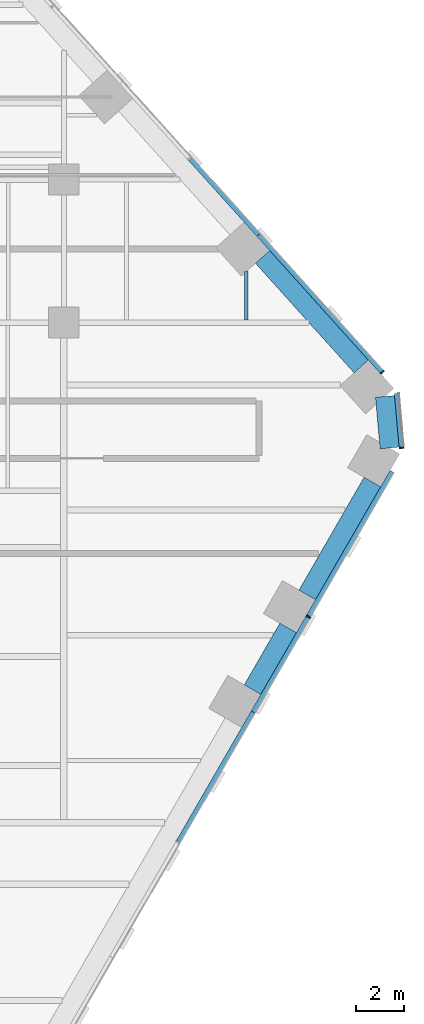
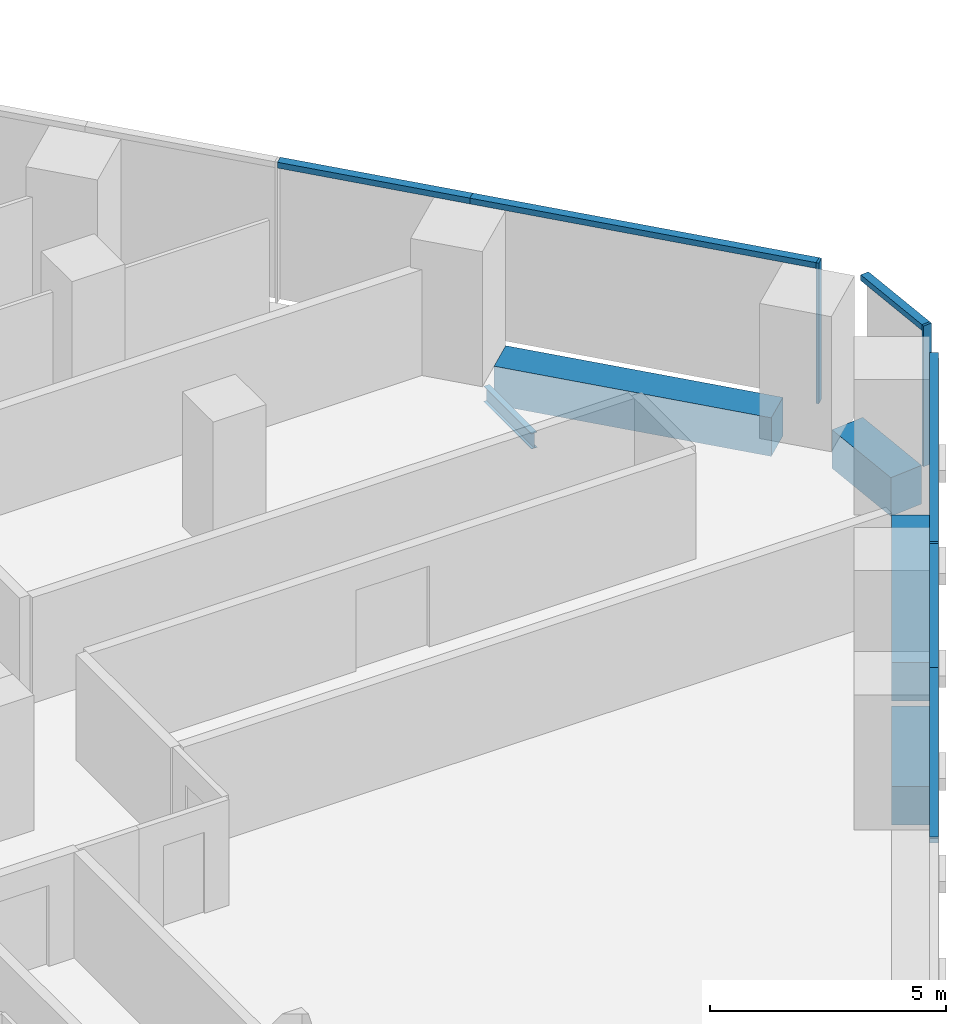
# One storey, part 11 of 21: 9 members, 5 beams, 3 elements without a shape of their own.
"""IFC4 building model written with IfcOpenShell, lengths in metres."""

import ifcopenshell
import ifcopenshell.guid

model = None  # the IFC model being written
_history = None  # IfcOwnerHistory: only IFC2X3 demands one
_inside = {}  # id of a spatial element -> (the spatial element, [elements in it])
_under = {}  # id of a project, library or spatial element -> (it, [spatial elements below it])
_declared = {}  # id of a project -> (the project, [libraries it declares])
_typed = {}  # id of a type object -> (the type object, [elements of that type])
_made_of = {}  # id of a material, layer set ... -> (it, [elements and type objects made of it])


def new_model(schema):
    """Start an empty IFC model of exactly this schema.

    Asked for "IFC4X3", IfcOpenShell would pick the latest addendum, in which some entities
    have other attributes; the version numbers below select the first issue.
    IFC2X3 requires an IfcOwnerHistory on every rooted entity: one is made here for all.
    """
    global model, _history
    if schema == "IFC4X3":
        model = ifcopenshell.file(schema_version=(4, 3, 0, 0))
    else:
        model = ifcopenshell.file(schema=schema)
    _inside.clear()
    _under.clear()
    _declared.clear()
    _typed.clear()
    _made_of.clear()
    _history = None
    if model.schema == "IFC2X3":
        org = make("IfcOrganization", Name="unknown")
        user = make(
            "IfcPersonAndOrganization",
            ThePerson=make("IfcPerson", FamilyName="unknown"),
            TheOrganization=org,
        )
        app = make(
            "IfcApplication",
            ApplicationDeveloper=org,
            Version="unknown",
            ApplicationFullName="unknown",
            ApplicationIdentifier="unknown",
        )
        _history = make(
            "IfcOwnerHistory",
            OwningUser=user,
            OwningApplication=app,
            ChangeAction="ADDED",
            CreationDate=0,
        )
    return model


def make(cls, **values):
    """One entity of the class cls with the attributes given. An attribute that is None is left unset."""
    return model.create_entity(
        cls, **{name: value for name, value in values.items() if value is not None}
    )


def rooted(cls, **values):
    """An entity with a GlobalId (a new one), such as an element, a storey or a relation."""
    return make(cls, GlobalId=ifcopenshell.guid.new(), OwnerHistory=_history, **values)


def si_unit(unit_type, name, prefix=None):
    """IfcSIUnit, for example si_unit("LENGTHUNIT", "METRE", prefix="MILLI")."""
    return make("IfcSIUnit", UnitType=unit_type, Prefix=prefix, Name=name)


def assignment(units):
    """IfcUnitAssignment: the units of a project."""
    return None if units is None else make("IfcUnitAssignment", Units=units)


def point(xyz):
    """IfcCartesianPoint."""
    return None if xyz is None else make("IfcCartesianPoint", Coordinates=xyz)


def direction(xyz):
    """IfcDirection."""
    return None if xyz is None else make("IfcDirection", DirectionRatios=xyz)


def frame(location, z_axis=None, x_axis=None):
    """IfcAxis2Placement3D, a coordinate frame: its origin and axes. An axis left out is left unset."""
    return make(
        "IfcAxis2Placement3D",
        Location=point(location),
        Axis=direction(z_axis),
        RefDirection=direction(x_axis),
    )


def frame_2d(location, x_axis=None):
    """IfcAxis2Placement2D, a coordinate frame in the plane: its origin and x axis."""
    return make(
        "IfcAxis2Placement2D", Location=point(location), RefDirection=direction(x_axis)
    )


def origin():
    """The frame at (0, 0, 0) with its axes left unset."""
    return frame((0.0, 0.0, 0.0))


def origin_2d():
    """The frame at (0, 0) in the plane with its x axis left unset."""
    return frame_2d((0.0, 0.0))


def place(relative_to, where):
    """IfcLocalPlacement: puts the frame where relative to a parent placement (None: the world)."""
    return make(
        "IfcLocalPlacement", PlacementRelTo=relative_to, RelativePlacement=where
    )


def context(
    kind, dimensions, precision=None, world=None, true_north=None, identifier=None
):
    """IfcGeometricRepresentationContext, for example the 3D "Model" context."""
    return make(
        "IfcGeometricRepresentationContext",
        ContextIdentifier=identifier,
        ContextType=kind,
        CoordinateSpaceDimension=dimensions,
        Precision=precision,
        WorldCoordinateSystem=world,
        TrueNorth=true_north,
    )


def subcontext(parent, identifier, kind, view, scale=None):
    """IfcGeometricRepresentationSubContext, for example "Body" below "Model"."""
    return make(
        "IfcGeometricRepresentationSubContext",
        ContextIdentifier=identifier,
        ContextType=kind,
        ParentContext=parent,
        TargetScale=scale,
        TargetView=view,
    )


def project(units=None, contexts=None):
    """IfcProject with its units and contexts."""
    return rooted(
        "IfcProject",
        Name="project",
        RepresentationContexts=contexts,
        UnitsInContext=assignment(units),
    )


def spatial(cls, under=None, at=None, **own):
    """A site, building, storey or space (cls), placed at a placement, below another one or the project."""
    s = rooted(cls, ObjectPlacement=at, **own)
    if under is not None:
        _under.setdefault(under.id(), (under, []))[1].append(s)
    return s


def profile(cls, at=None, kind="AREA", **sizes):
    """A parametric profile (cls). Its sizes go by their IFC names, for example OverallWidth=200.0."""
    return make(cls, ProfileType=kind, Position=at, **sizes)


def rectangle(**sizes):
    """IfcRectangleProfileDef."""
    return profile("IfcRectangleProfileDef", **sizes)


def i_section(**sizes):
    """IfcIShapeProfileDef."""
    return profile("IfcIShapeProfileDef", **sizes)


def extrude(swept, where, along, depth):
    """IfcExtrudedAreaSolid: the profile swept, set in the frame where, extruded along a direction by depth."""
    return make(
        "IfcExtrudedAreaSolid",
        SweptArea=swept,
        Position=where,
        ExtrudedDirection=direction(along),
        Depth=depth,
    )


def shape(context_of_items, identifier, shape_type, items):
    """IfcShapeRepresentation: the items that make up one representation, for example the "Body"."""
    return make(
        "IfcShapeRepresentation",
        ContextOfItems=context_of_items,
        RepresentationIdentifier=identifier,
        RepresentationType=shape_type,
        Items=items,
    )


def material(Name=None, Category=None):
    """IfcMaterial."""
    return make("IfcMaterial", Name=Name, Category=Category)


def layer(
    of_material, thickness, ventilated=None, Name=None, Category=None, Priority=None
):
    """IfcMaterialLayer: one layer of a wall or slab, of a material (None: an air gap)."""
    return make(
        "IfcMaterialLayer",
        Material=of_material,
        LayerThickness=thickness,
        IsVentilated=ventilated,
        Name=Name,
        Category=Category,
        Priority=Priority,
    )


def layer_set(layers, Name=None):
    """IfcMaterialLayerSet."""
    return make("IfcMaterialLayerSet", MaterialLayers=layers, LayerSetName=Name)


def material_profile(
    of_material, cross_section, Name=None, Category=None, Priority=None
):
    """IfcMaterialProfile: a cross section and its material."""
    return make(
        "IfcMaterialProfile",
        Name=Name,
        Material=of_material,
        Profile=cross_section,
        Priority=Priority,
        Category=Category,
    )


def profile_set(profiles, Name=None, composite=None):
    """IfcMaterialProfileSet."""
    return make(
        "IfcMaterialProfileSet",
        Name=Name,
        MaterialProfiles=profiles,
        CompositeProfile=composite,
    )


def made_of(thing, what):
    """Note that an element or type object is made of a material, layer set ...; save() writes the relation."""
    if what is not None:
        _made_of.setdefault(what.id(), (what, []))[1].append(thing)
    return thing


def type_object(cls, material=None, **own):
    """A type object (cls), such as IfcWallType, which elements share."""
    return made_of(rooted(cls, **own), material)


def element(
    cls,
    number,
    at=None,
    inside=None,
    cuts=None,
    type_object=None,
    material=None,
    context=None,
    identifier="Body",
    shape_type=None,
    held_by="IfcProductDefinitionShape",
    body=None,
    shapes=None,
    **own,
):
    """One element of the class cls, such as IfcWall. Its Tag is "e" and its number.

    at: its placement. inside: the storey or other place that contains it. cuts: it is an
    opening in that element (IfcRelVoidsElement). A single representation is given by context,
    identifier, shape_type and body (its items); several are given by shapes. held_by: the class
    of the entity that holds the representations. save() writes the other relations.
    """
    e = rooted(cls, Tag="e%d" % number, ObjectPlacement=at, **own)
    if body is not None:
        shapes = [shape(context, identifier, shape_type, body)]
    if shapes is not None:
        e.Representation = make(held_by, Representations=shapes)
    if inside is not None:
        _inside.setdefault(inside.id(), (inside, []))[1].append(e)
    if cuts is not None:
        rooted(
            "IfcRelVoidsElement", RelatingBuildingElement=cuts, RelatedOpeningElement=e
        )
    if type_object is not None:
        _typed.setdefault(type_object.id(), (type_object, []))[1].append(e)
    return made_of(e, material)


def aggregate(whole, parts):
    """IfcRelAggregates: a whole, such as a stair, and the parts it consists of."""
    return rooted("IfcRelAggregates", RelatingObject=whole, RelatedObjects=parts)


def save(model, path):
    """Write the relations noted so far, then the file.

    IfcRelAggregates (storeys below a building ...), IfcRelContainedInSpatialStructure (elements
    in a storey), IfcRelDefinesByType, IfcRelAssociatesMaterial and IfcRelDeclares: one each for
    every whole, place, type object, material and project.
    """
    for whole, parts in _under.values():
        aggregate(whole, parts)
    for where, things in _inside.values():
        rooted(
            "IfcRelContainedInSpatialStructure",
            RelatedElements=things,
            RelatingStructure=where,
        )
    for kind, things in _typed.values():
        rooted("IfcRelDefinesByType", RelatedObjects=things, RelatingType=kind)
    for what, things in _made_of.values():
        rooted("IfcRelAssociatesMaterial", RelatedObjects=things, RelatingMaterial=what)
    for by, libraries in _declared.values():
        rooted("IfcRelDeclares", RelatingContext=by, RelatedDefinitions=libraries)
    model.write(path)


model = new_model("IFC4")

# Units and contexts
model_context = context("Model", 3, precision=1e-05, world=origin(), true_north=direction((0.0, 1.0)))
body_context = subcontext(model_context, "Body", "Model", "MODEL_VIEW")
ifc_project = project(units=[si_unit("LENGTHUNIT", "METRE"), si_unit("AREAUNIT", "SQUARE_METRE"), si_unit("VOLUMEUNIT", "CUBIC_METRE"), si_unit("PLANEANGLEUNIT", "RADIAN"), si_unit("MASSUNIT", "GRAM", prefix="KILO")], contexts=[model_context])

# Site, building, storey
site_placement = place(None, origin())
site = spatial("IfcSite", under=ifc_project, at=site_placement, CompositionType="ELEMENT")
building_placement = place(site_placement, origin())
building = spatial("IfcBuilding", under=site, at=building_placement, Name="Isthmus Gate Tower", CompositionType="ELEMENT")
storey_placement = place(building_placement, frame((0.0, 0.0, 109.85009765625)))
storey = spatial("IfcBuildingStorey", under=building, at=storey_placement, Name="L26", CompositionType="ELEMENT", Elevation=109.85009765625)

# Curtain wall, member
ifc_material_1 = material(Name="Aluminium, pale champagne anodised", Category="aluminium")
ifc_layer = layer(ifc_material_1, 0.199951171875)
ifc_layer_set = layer_set([ifc_layer], Name="CW-1 UNITISED CURTAIN WALL 200 DEEP")
curtain_wall_type = type_object("IfcCurtainWallType", Name="CW-1 UNITISED CURTAIN WALL 200 DEEP", PredefinedType="NOTDEFINED", material=ifc_layer_set)
curtain_wall_1_placement = place(storey_placement, origin())
curtain_wall_1 = element("IfcCurtainWall", 1, at=curtain_wall_1_placement, inside=storey, type_object=curtain_wall_type, Name="CW-1 SE L26", PredefinedType="NOTDEFINED")
ifc_material_2 = material(Name="Aluminium, pale champagne anodised", Category="aluminium")
ifc_material_profile_1 = material_profile(ifc_material_2, rectangle(XDim=0.06005859375, YDim=0.199951171875, at=origin_2d()), Name="60x200")
ifc_profile_set_1 = profile_set([ifc_material_profile_1], Name="Aluminium, pale champagne anodised")
member_type_1 = type_object("IfcMemberType", Name="CW-1 MULLION 60 X 200", PredefinedType="MULLION", material=ifc_profile_set_1)
member_1_placement = place(storey_placement, frame((34.267822265625, -4.846435546875, 0.0), z_axis=(0.0, 0.0, 1.0), x_axis=(0.5, 0.866025403784, 0.0)))
member_1 = element("IfcMember", 2, at=member_1_placement, type_object=member_type_1, Name="CW-1 mullion", PredefinedType="MULLION", context=body_context, shape_type="SweptSolid", body=[
    extrude(rectangle(XDim=0.06005859375, YDim=0.199951171875, at=origin_2d()), origin(), (0.0, 0.0, 1.0), 3.64990234375),
])

curtain_wall_2_placement = place(storey_placement, origin())
curtain_wall_2 = element("IfcCurtainWall", 3, at=curtain_wall_2_placement, inside=storey, type_object=curtain_wall_type, Name="CW-1 SE-NE L26", PredefinedType="NOTDEFINED")
member_2_placement = place(storey_placement, frame((38.178955078125, 2.24169921875, 0.0), z_axis=(0.0, 0.0, 1.0), x_axis=(-0.089396669717, 0.995996102123, 0.0)))
member_2 = element("IfcMember", 4, at=member_2_placement, type_object=member_type_1, Name="CW-1 mullion", PredefinedType="MULLION", context=body_context, shape_type="SweptSolid", body=[
    extrude(rectangle(XDim=0.06005859375, YDim=0.199951171875, at=origin_2d()), origin(), (0.0, 0.0, 1.0), 3.64990234375),
])

curtain_wall_3_placement = place(storey_placement, origin())
curtain_wall_3 = element("IfcCurtainWall", 5, at=curtain_wall_3_placement, inside=storey, type_object=curtain_wall_type, Name="CW-1 NE L26", PredefinedType="NOTDEFINED")
member_3_placement = place(storey_placement, frame((37.37353515625, 5.419921875, 0.0), z_axis=(0.0, 0.0, 1.0), x_axis=(-0.669130606359, 0.743144825477, 0.0)))
member_3 = element("IfcMember", 6, at=member_3_placement, type_object=member_type_1, Name="CW-1 mullion", PredefinedType="MULLION", context=body_context, shape_type="SweptSolid", body=[
    extrude(rectangle(XDim=0.06005859375, YDim=0.199951171875, at=origin_2d()), origin(), (0.0, 0.0, 1.0), 3.64990234375),
])

# Member
ifc_material_3 = material(Name="Aluminium, pale champagne anodised", Category="aluminium")
ifc_material_profile_2 = material_profile(ifc_material_3, rectangle(XDim=0.199951171875, YDim=0.14990234375, at=origin_2d()), Name="200x150")
ifc_profile_set_2 = profile_set([ifc_material_profile_2], Name="Aluminium, pale champagne anodised")
member_type_2 = type_object("IfcMemberType", Name="CW-1 TRANSOM 200 X 150", PredefinedType="USERDEFINED", material=ifc_profile_set_2)
member_4_placement = place(storey_placement, frame((28.817138671875, -14.287353515625, 3.574951171875), z_axis=(0.499995104884, 0.866028229963, 0.0), x_axis=(-0.866028229963, 0.499995104884, 0.0)))
member_4 = element("IfcMember", 7, at=member_4_placement, type_object=member_type_2, Name="CW-1 transom", ObjectType="TRANSOM", PredefinedType="USERDEFINED", context=body_context, shape_type="SweptSolid", body=[
    extrude(rectangle(XDim=0.199951171875, YDim=0.14990234375, at=origin_2d()), origin(), (0.0, 0.0, 1.0), 6.2783203125),
])

member_5_placement = place(storey_placement, frame((31.956298828125, -8.85009765625, 3.574951171875), z_axis=(0.499992401796, 0.866029790565, 0.0), x_axis=(-0.866029790565, 0.499992401796, 0.0)))
member_5 = element("IfcMember", 8, at=member_5_placement, type_object=member_type_2, Name="CW-1 transom", ObjectType="TRANSOM", PredefinedType="USERDEFINED", context=body_context, shape_type="SweptSolid", body=[
    extrude(rectangle(XDim=0.199951171875, YDim=0.14990234375, at=origin_2d()), origin(), (0.0, 0.0, 1.0), 4.5927734375),
])

member_6_placement = place(storey_placement, frame((34.28271484375, -4.820556640625, 3.574951171875), z_axis=(0.500004847053, 0.866022605319, 0.0), x_axis=(-0.866022605319, 0.500004847053, 0.0)))
member_6 = element("IfcMember", 9, at=member_6_placement, type_object=member_type_2, Name="CW-1 transom", ObjectType="TRANSOM", PredefinedType="USERDEFINED", context=body_context, shape_type="SweptSolid", body=[
    extrude(rectangle(XDim=0.199951171875, YDim=0.14990234375, at=origin_2d()), origin(), (0.0, 0.0, 1.0), 7.009765625),
])

aggregate(curtain_wall_1, [member_4, member_5, member_1, member_6])

member_7_placement = place(storey_placement, frame((38.17626953125, 2.271728515625, 3.574951171875), z_axis=(-0.089395362867, 0.995996219419, 0.0), x_axis=(-0.995996219419, -0.089395362867, 0.0)))
member_7 = element("IfcMember", 10, at=member_7_placement, type_object=member_type_2, Name="CW-1 transom", ObjectType="TRANSOM", PredefinedType="USERDEFINED", context=body_context, shape_type="SweptSolid", body=[
    extrude(rectangle(XDim=0.199951171875, YDim=0.14990234375, at=origin_2d()), origin(), (0.0, 0.0, 1.0), 2.258544921875),
])

aggregate(curtain_wall_2, [member_2, member_7])

member_8_placement = place(storey_placement, frame((37.353515625, 5.4423828125, 3.574951171875), z_axis=(-0.669133991403, 0.743141777556, 0.0), x_axis=(-0.743141777556, -0.669133991403, 0.0)))
member_8 = element("IfcMember", 11, at=member_8_placement, type_object=member_type_2, Name="CW-1 transom", ObjectType="TRANSOM", PredefinedType="USERDEFINED", context=body_context, shape_type="SweptSolid", body=[
    extrude(rectangle(XDim=0.199951171875, YDim=0.14990234375, at=origin_2d()), origin(), (0.0, 0.0, 1.0), 7.729248046875),
])

member_9_placement = place(storey_placement, frame((32.181640625, 11.186279296875, 3.574951171875), z_axis=(-0.669131169216, 0.743144318678, 0.0), x_axis=(-0.743144318678, -0.669131169216, 0.0)))
member_9 = element("IfcMember", 12, at=member_9_placement, type_object=member_type_2, Name="CW-1 transom", ObjectType="TRANSOM", PredefinedType="USERDEFINED", context=body_context, shape_type="SweptSolid", body=[
    extrude(rectangle(XDim=0.199951171875, YDim=0.14990234375, at=origin_2d()), origin(), (0.0, 0.0, 1.0), 4.294677734375),
])

aggregate(curtain_wall_3, [member_3, member_8, member_9])

# Beams
ifc_material_4 = material(Name="Concrete f'c 70 MPa", Category="concrete")
ifc_material_profile_3 = material_profile(ifc_material_4, rectangle(XDim=0.800048828125, YDim=1.0, at=origin_2d()), Name="RC 800X1000")
ifc_profile_set_3 = profile_set([ifc_material_profile_3], Name="Concrete f'c 70 MPa")
beam_type_1 = type_object("IfcBeamType", Name="RC SPANDREL 800 X 1000", PredefinedType="SPANDREL", material=ifc_profile_set_3)
beam_1_placement = place(storey_placement, frame((32.34521484375, 10.25732421875, -0.5), z_axis=(0.669139054219, -0.743137218903, 0.0), x_axis=(0.743137218903, 0.669139054219, 0.0)))
element("IfcBeam", 13, at=beam_1_placement, inside=storey, type_object=beam_type_1, Name="str-spandrel-L26-04", PredefinedType="SPANDREL", context=body_context, shape_type="SweptSolid", body=[
    extrude(rectangle(XDim=0.800048828125, YDim=1.0, at=origin_2d()), origin(), (0.0, 0.0, 1.0), 6.189453125),
])
beam_2_placement = place(storey_placement, frame((37.483154296875, 4.40185546875, -0.5), z_axis=(0.089421511639, -0.995993872098, 0.0), x_axis=(0.995993872098, 0.089421511639, 0.0)))
element("IfcBeam", 14, at=beam_2_placement, inside=storey, type_object=beam_type_1, Name="str-spandrel-L26-05", PredefinedType="SPANDREL", context=body_context, shape_type="SweptSolid", body=[
    extrude(rectangle(XDim=0.800048828125, YDim=1.0, at=origin_2d()), origin(), (0.0, 0.0, 1.0), 2.17333984375),
])
beam_3_placement = place(storey_placement, frame((36.95458984375, 0.80712890625, -0.5), z_axis=(-0.500008371742, -0.866020570303, 0.0), x_axis=(0.866020570303, -0.500008371742, 0.0)))
element("IfcBeam", 15, at=beam_3_placement, inside=storey, type_object=beam_type_1, Name="str-spandrel-L26-06", PredefinedType="SPANDREL", context=body_context, shape_type="SweptSolid", body=[
    extrude(rectangle(XDim=0.800048828125, YDim=1.0, at=origin_2d()), origin(), (0.0, 0.0, 1.0), 5.4697265625),
])
beam_4_placement = place(storey_placement, frame((33.419677734375, -5.315185546875, -0.5), z_axis=(-0.499955472713, -0.866051110099, 0.0), x_axis=(0.866051110099, -0.499955472713, 0.0)))
element("IfcBeam", 16, at=beam_4_placement, inside=storey, type_object=beam_type_1, Name="str-spandrel-L26-07", PredefinedType="SPANDREL", context=body_context, shape_type="SweptSolid", body=[
    extrude(rectangle(XDim=0.800048828125, YDim=1.0, at=origin_2d()), origin(), (0.0, 0.0, 1.0), 2.992919921875),
])
ifc_material_5 = material(Name="Structural steel ASTM A992 Gr 50", Category="steel")
ifc_material_profile_4 = material_profile(ifc_material_5, i_section(OverallWidth=0.1396484375, OverallDepth=0.4033203125, WebThickness=0.00634765625, FlangeThickness=0.010986328125, at=origin_2d()), Name="W16X31")
ifc_profile_set_4 = profile_set([ifc_material_profile_4], Name="Structural steel ASTM A992 Gr 50")
beam_type_2 = type_object("IfcBeamType", Name="STEEL FLOOR BEAM W16X31", PredefinedType="JOIST", material=ifc_profile_set_4)
beam_5_placement = place(storey_placement, frame((31.666259765625, 7.6142578125, -0.351806640625), z_axis=(0.0, 1.0, 0.0), x_axis=(-1.0, 0.0, 0.0)))
element("IfcBeam", 17, at=beam_5_placement, inside=storey, type_object=beam_type_2, Name="str-beam-L26-33-01", PredefinedType="JOIST", context=body_context, shape_type="SweptSolid", body=[
    extrude(i_section(OverallWidth=0.1396484375, OverallDepth=0.4033203125, WebThickness=0.00634765625, FlangeThickness=0.010986328125, at=origin_2d()), origin(), (0.0, 0.0, 1.0), 2.03173828125),
])

save(model, "model.ifc")
